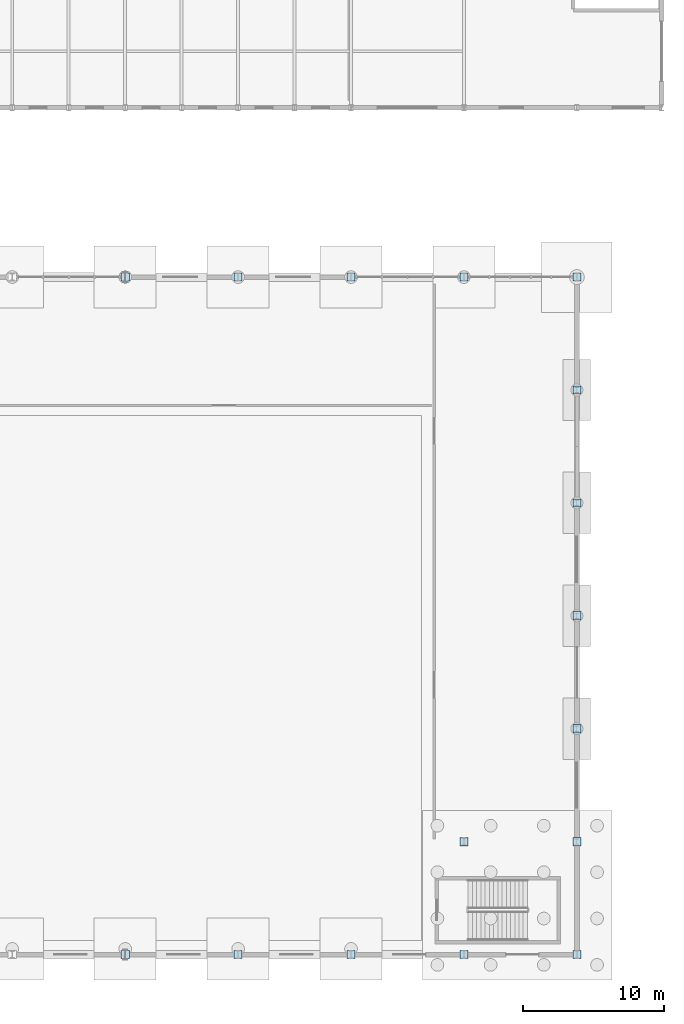
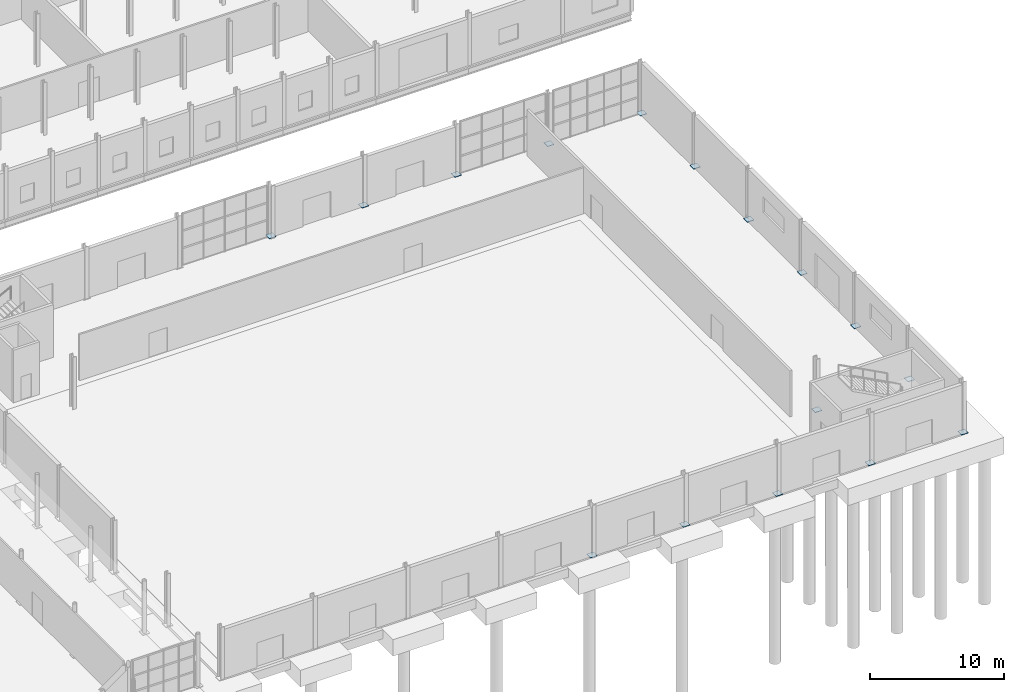
# One storey, part 73 of 101: 16 plates.
"""IFC4 building model written with IfcOpenShell, lengths in metres."""

from ifc_helpers import new_model, si_unit, derived_unit, direction, frame, origin, origin_2d, place, context, subcontext, project, spatial, rectangle, extrude, material, layer, layer_set, type_object, element, save


model = new_model("IFC4")

# Units and contexts
model_context = context("Model", 3, precision=1e-05, world=origin(), true_north=direction((0.0, 1.0)))
body_context = subcontext(model_context, "Body", "Model", "MODEL_VIEW")
ifc_project = project(units=[si_unit("LENGTHUNIT", "METRE"), si_unit("AREAUNIT", "SQUARE_METRE"), si_unit("VOLUMEUNIT", "CUBIC_METRE"), si_unit("PLANEANGLEUNIT", "RADIAN"), si_unit("MASSUNIT", "GRAM", prefix="KILO"), derived_unit("THERMALTRANSMITTANCEUNIT", [(si_unit("POWERUNIT", "WATT"), 1), (si_unit("LENGTHUNIT", "METRE"), -2), (si_unit("THERMODYNAMICTEMPERATUREUNIT", "KELVIN"), -1)])], contexts=[model_context])

# Site, building, storey
site_placement = place(None, origin())
site = spatial("IfcSite", under=ifc_project, at=site_placement, CompositionType="ELEMENT")
building_placement = place(site_placement, origin())
building = spatial("IfcBuilding", under=site, at=building_placement, Name="Keldorne Ridge Multi-Sports Centre", CompositionType="ELEMENT")
storey_placement = place(building_placement, origin())
storey = spatial("IfcBuildingStorey", under=building, at=storey_placement, Name="L00", CompositionType="ELEMENT", Elevation=0.0)

# Plates
ifc_material = material(Name="Steel S355", Category="steel")
ifc_layer_1 = layer(ifc_material, 0.031982421875)
ifc_layer_set_1 = layer_set([ifc_layer_1], Name="Steel S355")
plate_type_1 = type_object("IfcPlateType", Name="PLT-PL-BP1", PredefinedType="USERDEFINED", material=ifc_layer_set_1)
plate_placement = place(storey_placement, frame((160.0, 14.0, 0.0), z_axis=(0.0, 0.0, 1.0), x_axis=(1.0, 0.0, 0.0)))
element("IfcPlate", 1, at=plate_placement, inside=storey, type_object=plate_type_1, Name="Column baseplate V2-C5-ANCH", ObjectType="GUSSET PLATE", PredefinedType="USERDEFINED", context=body_context, shape_type="SweptSolid", body=[
    extrude(rectangle(XDim=0.580078125, YDim=0.580078125, at=origin_2d()), origin(), (0.0, 0.0, 1.0), 0.031982421875),
])
ifc_layer_2 = layer(ifc_material, 0.0400390625)
ifc_layer_set_2 = layer_set([ifc_layer_2], Name="Steel S355")
plate_type_2 = type_object("IfcPlateType", Name="PLT-PL-BP2", PredefinedType="USERDEFINED", material=ifc_layer_set_2)
for number, where, z_axis, x_axis, name in (
    (2, (136.0, 6.0, 0.0), (0.0, 0.0, 1.0), (1.0, 0.0, 0.0), "Column baseplate V2-TRUSS-S-05"),
    (3, (136.0, 54.0, 0.0), (0.0, 0.0, 1.0), (1.0, 0.0, 0.0), "Column baseplate V2-TRUSS-N-05"),
    (4, (144.0, 6.0, 0.0), (0.0, 0.0, 1.0), (1.0, 0.0, 0.0), "Column baseplate V2-TRUSS-S-06"),
    (5, (144.0, 54.0, 0.0), (0.0, 0.0, 1.0), (1.0, 0.0, 0.0), "Column baseplate V2-TRUSS-N-06"),
    (6, (152.0, 6.0, 0.0), (0.0, 0.0, 1.0), (1.0, 0.0, 0.0), "Column baseplate V2-TRUSS-S-07"),
    (7, (152.0, 54.0, 0.0), (0.0, 0.0, 1.0), (1.0, 0.0, 0.0), "Column baseplate V2-TRUSS-N-07"),
    (8, (160.0, 6.0, 0.0), (0.0, 0.0, 1.0), (1.0, 0.0, 0.0), "Column baseplate V2-TRUSS-S-08"),
    (9, (160.0, 54.0, 0.0), (0.0, 0.0, 1.0), (1.0, 0.0, 0.0), "Column baseplate V2-TRUSS-N-08"),
    (10, (168.0, 6.0, 0.0), (0.0, 0.0, 1.0), (1.0, 0.0, 0.0), "Column baseplate V2-TRUSS-S-09"),
    (11, (168.0, 54.0, 0.0), (0.0, 0.0, 1.0), (1.0, 0.0, 0.0), "Column baseplate V2-TRUSS-N-09"),
    (12, (168.0, 14.0, 0.0), (0.0, 0.0, 1.0), (1.0, 0.0, 0.0), "Column baseplate V2-GABLE-E-01"),
    (13, (168.0, 22.0, 0.0), (0.0, 0.0, 1.0), (1.0, 0.0, 0.0), "Column baseplate V2-GABLE-E-02"),
    (14, (168.0, 30.0, 0.0), (0.0, 0.0, 1.0), (1.0, 0.0, 0.0), "Column baseplate V2-GABLE-E-03"),
    (15, (168.0, 38.0, 0.0), (0.0, 0.0, 1.0), (1.0, 0.0, 0.0), "Column baseplate V2-GABLE-E-04"),
    (16, (168.0, 46.0, 0.0), (0.0, 0.0, 1.0), (1.0, 0.0, 0.0), "Column baseplate V2-GABLE-E-05"),
):
    element("IfcPlate", number, at=place(storey_placement, frame(where, z_axis=z_axis, x_axis=x_axis)), inside=storey, type_object=plate_type_2, Name=name, ObjectType="GUSSET PLATE", PredefinedType="USERDEFINED", context=body_context, shape_type="SweptSolid", body=[
        extrude(rectangle(XDim=0.580078125, YDim=0.580078125, at=origin_2d()), origin(), (0.0, 0.0, 1.0), 0.0400390625),
    ])

save(model, "model.ifc")
